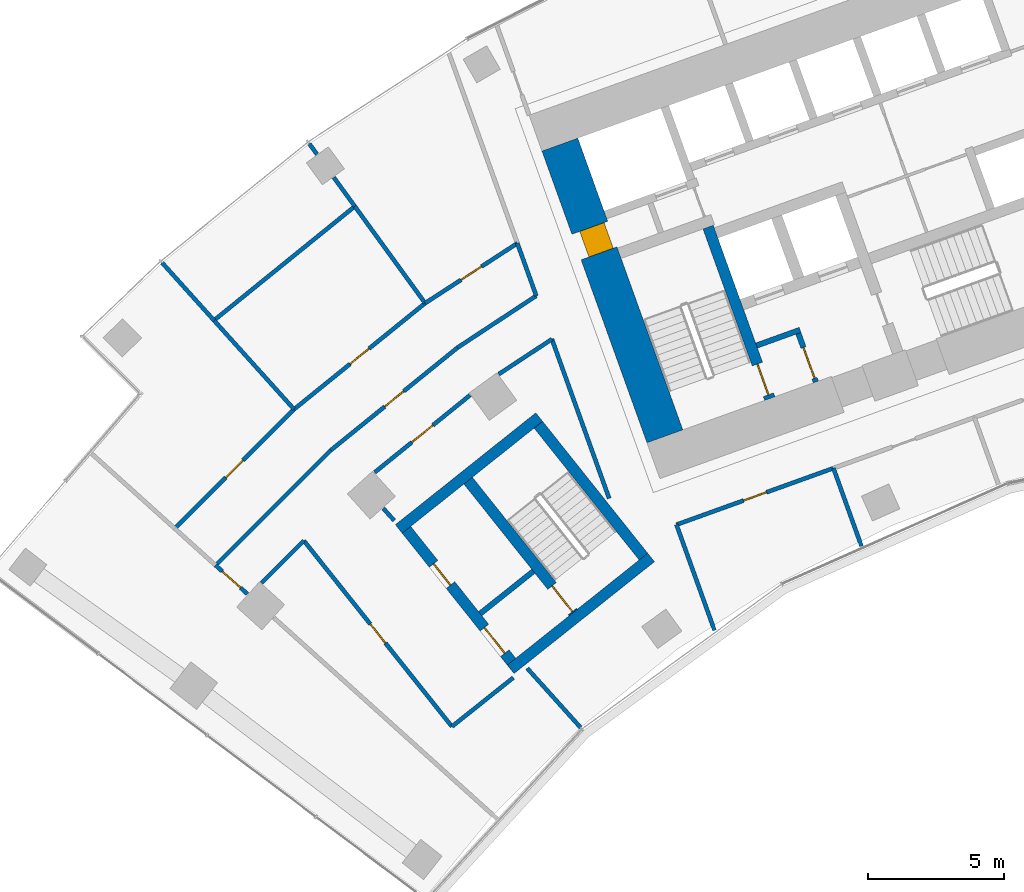
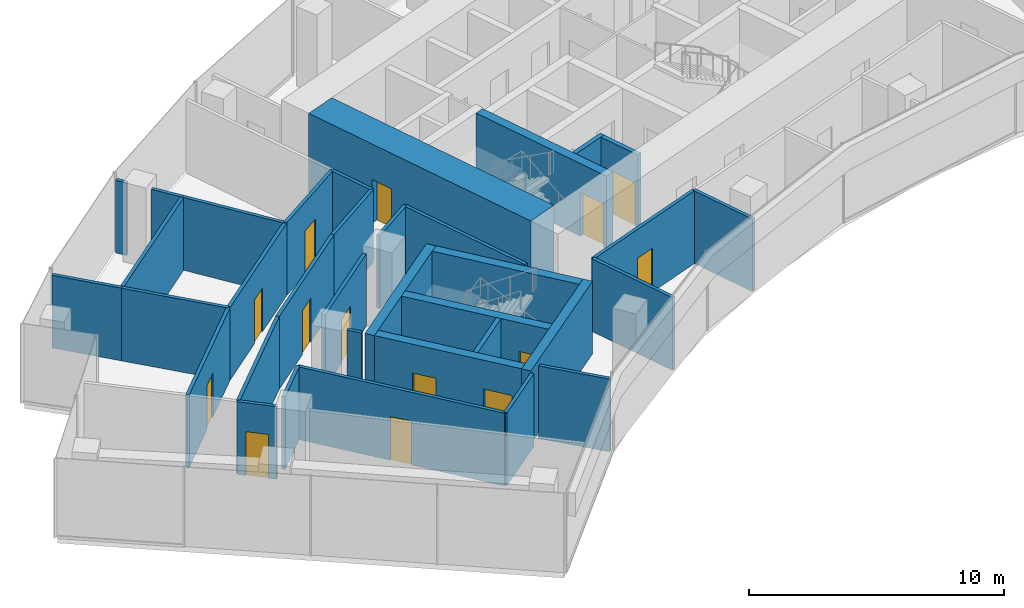
# One storey, part 13 of 21: 35 walls, 14 doors, 14 openings.
"""IFC4 building model written with IfcOpenShell, lengths in metres."""

from ifc_helpers import new_model, si_unit, direction, frame, frame_2d, origin, place, context, subcontext, project, spatial, rectangle, extrude, material, layer, layer_set, type_object, element, fill, save


model = new_model("IFC4")

# Units and contexts
model_context = context("Model", 3, precision=1e-05, world=origin(), true_north=direction((0.0, 1.0)))
body_context = subcontext(model_context, "Body", "Model", "MODEL_VIEW")
ifc_project = project(units=[si_unit("LENGTHUNIT", "METRE"), si_unit("AREAUNIT", "SQUARE_METRE"), si_unit("VOLUMEUNIT", "CUBIC_METRE"), si_unit("PLANEANGLEUNIT", "RADIAN"), si_unit("MASSUNIT", "GRAM", prefix="KILO")], contexts=[model_context])

# Site, building, storey
site_placement = place(None, origin())
site = spatial("IfcSite", under=ifc_project, at=site_placement, CompositionType="ELEMENT")
building_placement = place(site_placement, origin())
building = spatial("IfcBuilding", under=site, at=building_placement, Name="Stone Belt Terrace Tower", CompositionType="ELEMENT")
storey_placement = place(building_placement, frame((0.0, 0.0, 151.60009765625)))
storey = spatial("IfcBuildingStorey", under=building, at=storey_placement, Name="L36", CompositionType="ELEMENT", Elevation=151.60009765625)

# Wall, opening, door
ifc_material_1 = material(Name="Concrete B80", Category="concrete")
ifc_layer_1 = layer(ifc_material_1, 1.39990234375)
ifc_layer_set_1 = layer_set([ifc_layer_1], Name="Core wall 1400 B80")
wall_type_1 = type_object("IfcWallType", Name="Core wall 1400 B80", PredefinedType="SHEAR", material=ifc_layer_set_1)
wall_1_placement = place(storey_placement, frame((-26.00927734375, 43.03515625, 0.0), z_axis=(0.0, 0.0, 1.0), x_axis=(-0.338625431531, 0.940921259788, 0.0)))
wall_1 = element("IfcWall", 1, at=wall_1_placement, inside=storey, type_object=wall_type_1, Name="Core A wall end_a L36", PredefinedType="SHEAR", context=body_context, shape_type="SweptSolid", body=[
    extrude(rectangle(XDim=11.400146484375, YDim=1.39990234375, at=frame_2d((5.7001953125, 0.0))), origin(), (0.0, 0.0, 1.0), 3.7998046875),
])
opening_1_placement = place(wall_1_placement, frame((7.14990234375, 0.0, 0.0)))
opening_1 = element("IfcOpeningElement", 2, at=opening_1_placement, cuts=wall_1, Name="Opening L36-C04", PredefinedType="OPENING", context=body_context, shape_type="SweptSolid", body=[
    extrude(rectangle(XDim=1.0, YDim=2.10009765625, at=frame_2d((0.5, 1.050048828125))), frame((0.0, 0.7099609375, 0.0), z_axis=(0.0, -1.0, 0.0), x_axis=(1.0, 0.0, 0.0)), (0.0, 0.0, 1.0), 1.419921875),
])
ifc_material_2 = material(Name="Timber door leaf", Category="wood")
door_type_1 = type_object("IfcDoorType", Name="Core room door 1000", OperationType="SINGLE_SWING_LEFT", PredefinedType="DOOR", material=ifc_material_2)
door_1_placement = place(opening_1_placement, origin())
door_1 = element("IfcDoor", 3, at=door_1_placement, inside=storey, type_object=door_type_1, Name="Door to Telecommunications riser room core A", OperationType="SINGLE_SWING_LEFT", OverallHeight=2.10009765625, OverallWidth=1.0, PredefinedType="DOOR", context=body_context, shape_type="SweptSolid", body=[
    extrude(rectangle(XDim=1.0, YDim=2.10009765625, at=frame_2d((0.5, 1.050048828125))), frame((0.0, 0.39501953125, 0.0), z_axis=(0.0, -1.0, 0.0), x_axis=(1.0, 0.0, 0.0)), (0.0, 0.0, 1.0), 0.949951171875),
])
fill(opening_1, door_1)

# Walls
ifc_material_3 = material(Name="Gypsum board partition")
ifc_layer_2 = layer(ifc_material_3, 0.14990234375)
ifc_layer_set_2 = layer_set([ifc_layer_2], Name="PARTITION 150 EI 60")
wall_type_2 = type_object("IfcWallType", Name="PARTITION 150 EI 60", PredefinedType="PARTITIONING", material=ifc_layer_set_2)
wall_2_placement = place(storey_placement, frame((-25.5859375, 39.79296875, 0.0), z_axis=(0.0, 0.0, 1.0), x_axis=(0.338545933013, -0.940949866486, 0.0)))
element("IfcWall", 4, at=wall_2_placement, inside=storey, type_object=wall_type_2, Name="L36/wall/i001", PredefinedType="PARTITIONING", context=body_context, shape_type="SweptSolid", body=[
    extrude(rectangle(XDim=4.135009765625, YDim=0.14990234375, at=frame_2d((2.0673828125, 0.0))), origin(), (0.0, 0.0, 1.0), 3.47998046875),
])
wall_3_placement = place(storey_placement, frame((-28.05810546875, 40.75390625, 0.0), z_axis=(0.0, 0.0, 1.0), x_axis=(-0.338523697563, 0.94095786632, 0.0)))
element("IfcWall", 5, at=wall_3_placement, inside=storey, type_object=wall_type_2, Name="L36/wall/i003", PredefinedType="PARTITIONING", context=body_context, shape_type="SweptSolid", body=[
    extrude(rectangle(XDim=6.226806640625, YDim=0.14990234375, at=frame_2d((3.11328125, 0.0))), origin(), (0.0, 0.0, 1.0), 3.47998046875),
])
wall_4_placement = place(storey_placement, frame((-29.107177734375, 32.32666015625, 0.0), z_axis=(0.0, 0.0, 1.0), x_axis=(-0.669245075227, 0.74304174128, 0.0)))
element("IfcWall", 6, at=wall_4_placement, inside=storey, type_object=wall_type_2, Name="L36/wall/i004", PredefinedType="PARTITIONING", context=body_context, shape_type="SweptSolid", body=[
    extrude(rectangle(XDim=2.9345703125, YDim=0.14990234375, at=frame_2d((1.46728515625, 0.0))), origin(), (0.0, 0.0, 1.0), 3.47998046875),
])
wall_5_placement = place(storey_placement, frame((-30.737060546875, 48.197021484375, 0.0), z_axis=(0.0, 0.0, 1.0), x_axis=(-0.338522672426, 0.940958235127, 0.0)))
element("IfcWall", 7, at=wall_5_placement, inside=storey, type_object=wall_type_2, Name="L36/wall/i005", PredefinedType="PARTITIONING", context=body_context, shape_type="SweptSolid", body=[
    extrude(rectangle(XDim=2.064697265625, YDim=0.14990234375, at=frame_2d((1.0322265625, 0.0))), origin(), (0.0, 0.0, 1.0), 3.47998046875),
])

# Wall, opening, door
wall_6_placement = place(storey_placement, frame((-19.806884765625, 41.865966796875, 0.0), z_axis=(0.0, 0.0, 1.0), x_axis=(-0.940934038276, -0.338589922492, 0.0)))
wall_6 = element("IfcWall", 8, at=wall_6_placement, inside=storey, type_object=wall_type_2, Name="L36/wall/i012", PredefinedType="PARTITIONING", context=body_context, shape_type="SweptSolid", body=[
    extrude(rectangle(XDim=6.1396484375, YDim=0.14990234375, at=frame_2d((3.06982421875, 0.0))), origin(), (0.0, 0.0, 1.0), 3.47998046875),
])
opening_2_placement = place(wall_6_placement, frame((2.619873046875, 0.0, 0.0)))
opening_2 = element("IfcOpeningElement", 9, at=opening_2_placement, cuts=wall_6, Name="Opening D-C1-01", PredefinedType="OPENING", context=body_context, shape_type="SweptSolid", body=[
    extrude(rectangle(XDim=0.89990234375, YDim=2.10009765625, at=frame_2d((0.449951171875, 1.050048828125))), frame((0.0, 0.0849609375, 0.0), z_axis=(0.0, -1.0, 0.0), x_axis=(1.0, 0.0, 0.0)), (0.0, 0.0, 1.0), 0.169921875),
])
door_type_2 = type_object("IfcDoorType", Name="OFFICE DOOR 900 X 2100", OperationType="NOTDEFINED", PredefinedType="DOOR", material=ifc_material_2)
door_2_placement = place(opening_2_placement, origin())
door_2 = element("IfcDoor", 10, at=door_2_placement, inside=storey, type_object=door_type_2, Name="L36/door/i01", OperationType="SINGLE_SWING_RIGHT", OverallHeight=2.10009765625, OverallWidth=0.89990234375, PredefinedType="DOOR", context=body_context, shape_type="SweptSolid", body=[
    extrude(rectangle(XDim=0.89990234375, YDim=2.10009765625, at=frame_2d((0.449951171875, 1.050048828125))), frame((0.0, 0.02490234375, 0.0), z_axis=(0.0, -1.0, 0.0), x_axis=(1.0, 0.0, 0.0)), (0.0, 0.0, 1.0), 0.050048828125),
])
fill(opening_2, door_2)

# Wall
wall_7_placement = place(storey_placement, frame((-19.81298828125, 41.864013671875, 0.0), z_axis=(0.0, 0.0, 1.0), x_axis=(0.33852104262, -0.940958821471, 0.0)))
element("IfcWall", 11, at=wall_7_placement, inside=storey, type_object=wall_type_2, Name="L36/wall/i016", PredefinedType="PARTITIONING", context=body_context, shape_type="SweptSolid", body=[
    extrude(rectangle(XDim=3.050048828125, YDim=0.14990234375, at=frame_2d((1.52490234375, 0.0))), origin(), (0.0, 0.0, 1.0), 3.47998046875),
])

# Wall, opening, door
wall_8_placement = place(storey_placement, frame((-41.35986328125, 37.240478515625, 0.0), z_axis=(0.0, 0.0, 1.0), x_axis=(-0.742885543222, 0.669418456327, 0.0)))
wall_8 = element("IfcWall", 12, at=wall_8_placement, inside=storey, type_object=wall_type_2, Name="L36/wall/i040", PredefinedType="PARTITIONING", context=body_context, shape_type="SweptSolid", body=[
    extrude(rectangle(XDim=1.5751953125, YDim=0.14990234375, at=frame_2d((0.78759765625, 0.0))), origin(), (0.0, 0.0, 1.0), 3.47998046875),
])
opening_3_placement = place(wall_8_placement, frame((0.337646484375, 0.0, 0.0)))
opening_3 = element("IfcOpeningElement", 13, at=opening_3_placement, cuts=wall_8, Name="Opening D-C1-13", PredefinedType="OPENING", context=body_context, shape_type="SweptSolid", body=[
    extrude(rectangle(XDim=0.89990234375, YDim=2.10009765625, at=frame_2d((0.449951171875, 1.050048828125))), frame((0.0, 0.0849609375, 0.0), z_axis=(0.0, -1.0, 0.0), x_axis=(1.0, 0.0, 0.0)), (0.0, 0.0, 1.0), 0.169921875),
])
door_3_placement = place(opening_3_placement, origin())
door_3 = element("IfcDoor", 14, at=door_3_placement, inside=storey, type_object=door_type_2, Name="L36/door/i13", OperationType="SINGLE_SWING_RIGHT", OverallHeight=2.10009765625, OverallWidth=0.89990234375, PredefinedType="DOOR", context=body_context, shape_type="SweptSolid", body=[
    extrude(rectangle(XDim=0.89990234375, YDim=2.10009765625, at=frame_2d((0.449951171875, 1.050048828125))), frame((0.0, 0.02490234375, 0.0), z_axis=(0.0, -1.0, 0.0), x_axis=(1.0, 0.0, 0.0)), (0.0, 0.0, 1.0), 0.050048828125),
])
fill(opening_3, door_3)

# Wall
wall_9_placement = place(storey_placement, frame((-30.1640625, 46.60693359375, 0.0), z_axis=(0.0, 0.0, 1.0), x_axis=(-0.835406992815, -0.549631837102, 0.0)))
element("IfcWall", 15, at=wall_9_placement, inside=storey, type_object=wall_type_2, Name="L36/wall/i044", PredefinedType="PARTITIONING", context=body_context, shape_type="SweptSolid", body=[
    extrude(rectangle(XDim=2.339111328125, YDim=0.14990234375, at=frame_2d((1.16943359375, 0.0))), origin(), (0.0, 0.0, 1.0), 3.47998046875),
])

# Wall, opening, door
wall_10_placement = place(storey_placement, frame((-33.17578125, 44.548095703125, 0.0), z_axis=(0.0, 0.0, 1.0), x_axis=(-0.777148951547, -0.629316698578, 0.0)))
wall_10 = element("IfcWall", 16, at=wall_10_placement, inside=storey, type_object=wall_type_2, Name="L36/wall/i045", PredefinedType="PARTITIONING", context=body_context, shape_type="SweptSolid", body=[
    extrude(rectangle(XDim=4.505126953125, YDim=0.14990234375, at=frame_2d((2.25244140625, 0.0))), origin(), (0.0, 0.0, 1.0), 3.47998046875),
])
opening_4_placement = place(wall_10_placement, frame((1.752685546875, 0.0, 0.0)))
opening_4 = element("IfcOpeningElement", 17, at=opening_4_placement, cuts=wall_10, Name="Opening D-C1-14", PredefinedType="OPENING", context=body_context, shape_type="SweptSolid", body=[
    extrude(rectangle(XDim=1.0, YDim=2.10009765625, at=frame_2d((0.5, 1.050048828125))), frame((0.0, 0.0849609375, 0.0), z_axis=(0.0, -1.0, 0.0), x_axis=(1.0, 0.0, 0.0)), (0.0, 0.0, 1.0), 0.169921875),
])
ifc_material_4 = material(Name="Timber fire door leaf", Category="wood")
door_type_3 = type_object("IfcDoorType", Name="TENANCY ENTRANCE DOOR 1000 X 2100", OperationType="NOTDEFINED", PredefinedType="DOOR", material=ifc_material_4)
door_4_placement = place(opening_4_placement, origin())
door_4 = element("IfcDoor", 18, at=door_4_placement, inside=storey, type_object=door_type_3, Name="L36/door/i14", OperationType="SINGLE_SWING_RIGHT", OverallHeight=2.10009765625, OverallWidth=1.0, PredefinedType="DOOR", context=body_context, shape_type="SweptSolid", body=[
    extrude(rectangle(XDim=1.0, YDim=2.10009765625, at=frame_2d((0.5, 1.050048828125))), frame((0.0, 0.02490234375, 0.0), z_axis=(0.0, -1.0, 0.0), x_axis=(1.0, 0.0, 0.0)), (0.0, 0.0, 1.0), 0.050048828125),
])
fill(opening_4, door_4)

# Walls
wall_11_placement = place(storey_placement, frame((-39.281982421875, 39.205078125, 0.0), z_axis=(0.0, 0.0, 1.0), x_axis=(-0.707106781187, -0.707106781187, 0.0)))
element("IfcWall", 19, at=wall_11_placement, inside=storey, type_object=wall_type_2, Name="L36/wall/i046", PredefinedType="PARTITIONING", context=body_context, shape_type="SweptSolid", body=[
    extrude(rectangle(XDim=2.1982421875, YDim=0.14990234375, at=frame_2d((1.09912109375, 0.0))), origin(), (0.0, 0.0, 1.0), 3.47998046875),
])
wall_12_placement = place(storey_placement, frame((-42.52587890625, 38.291015625, 0.0), z_axis=(0.0, 0.0, 1.0), x_axis=(0.707106781187, 0.707106781187, 0.0)))
element("IfcWall", 20, at=wall_12_placement, inside=storey, type_object=wall_type_2, Name="L36/wall/i047", PredefinedType="PARTITIONING", context=body_context, shape_type="SweptSolid", body=[
    extrude(rectangle(XDim=5.989013671875, YDim=0.14990234375, at=frame_2d((2.99462890625, 0.0))), origin(), (0.0, 0.0, 1.0), 3.47998046875),
])

# Wall, opening, door
wall_13_placement = place(storey_placement, frame((-38.291015625, 42.52587890625, 0.0), z_axis=(0.0, 0.0, 1.0), x_axis=(0.777109127033, 0.629365875054, 0.0)))
wall_13 = element("IfcWall", 21, at=wall_13_placement, inside=storey, type_object=wall_type_2, Name="L36/wall/i048", PredefinedType="PARTITIONING", context=body_context, shape_type="SweptSolid", body=[
    extrude(rectangle(XDim=5.990234375, YDim=0.14990234375, at=frame_2d((2.9951171875, 0.0))), origin(), (0.0, 0.0, 1.0), 3.47998046875),
])
opening_5_placement = place(wall_13_placement, frame((2.545166015625, 0.0, 0.0)))
opening_5 = element("IfcOpeningElement", 22, at=opening_5_placement, cuts=wall_13, Name="Opening D-C1-16", PredefinedType="OPENING", context=body_context, shape_type="SweptSolid", body=[
    extrude(rectangle(XDim=0.89990234375, YDim=2.10009765625, at=frame_2d((0.449951171875, 1.050048828125))), frame((0.0, 0.0849609375, 0.0), z_axis=(0.0, -1.0, 0.0), x_axis=(1.0, 0.0, 0.0)), (0.0, 0.0, 1.0), 0.169921875),
])
door_5_placement = place(opening_5_placement, origin())
door_5 = element("IfcDoor", 23, at=door_5_placement, inside=storey, type_object=door_type_2, Name="L36/door/i16", OperationType="SINGLE_SWING_RIGHT", OverallHeight=2.10009765625, OverallWidth=0.89990234375, PredefinedType="DOOR", context=body_context, shape_type="SweptSolid", body=[
    extrude(rectangle(XDim=0.89990234375, YDim=2.10009765625, at=frame_2d((0.449951171875, 1.050048828125))), frame((0.0, 0.02490234375, 0.0), z_axis=(0.0, -1.0, 0.0), x_axis=(1.0, 0.0, 0.0)), (0.0, 0.0, 1.0), 0.050048828125),
])
fill(opening_5, door_5)

# Walls
wall_14_placement = place(storey_placement, frame((-33.635986328125, 46.2958984375, 0.0), z_axis=(0.0, 0.0, 1.0), x_axis=(0.835274160171, 0.549833681535, 0.0)))
element("IfcWall", 24, at=wall_14_placement, inside=storey, type_object=wall_type_2, Name="L36/wall/i049", PredefinedType="PARTITIONING", context=body_context, shape_type="SweptSolid", body=[
    extrude(rectangle(XDim=3.46826171875, YDim=0.14990234375, at=frame_2d((1.734130859375, 0.0))), origin(), (0.0, 0.0, 1.0), 3.47998046875),
])
wall_15_placement = place(storey_placement, frame((-36.364013671875, 40.38623046875, 0.0), z_axis=(0.0, 0.0, 1.0), x_axis=(0.668964731622, -0.743294146247, 0.0)))
element("IfcWall", 25, at=wall_15_placement, inside=storey, type_object=wall_type_2, Name="L36/wall/i050", PredefinedType="PARTITIONING", context=body_context, shape_type="SweptSolid", body=[
    extrude(rectangle(XDim=0.597900390625, YDim=0.14990234375, at=frame_2d((0.298828125, 0.0))), origin(), (0.0, 0.0, 1.0), 3.47998046875),
])
wall_16_placement = place(storey_placement, frame((-31.58203125, 34.1640625, 0.0), z_axis=(0.0, 0.0, 1.0), x_axis=(-0.78211299795, -0.623136629029, 0.0)))
element("IfcWall", 26, at=wall_16_placement, inside=storey, type_object=wall_type_2, Name="L36/wall/i051", PredefinedType="PARTITIONING", context=body_context, shape_type="SweptSolid", body=[
    extrude(rectangle(XDim=2.88720703125, YDim=0.14990234375, at=frame_2d((1.443603515625, 0.0))), origin(), (0.0, 0.0, 1.0), 3.47998046875),
])

# Wall, opening, door
wall_17_placement = place(storey_placement, frame((-33.841064453125, 32.365966796875, 0.0), z_axis=(0.0, 0.0, 1.0), x_axis=(-0.623078744687, 0.782159112917, 0.0)))
wall_17 = element("IfcWall", 27, at=wall_17_placement, inside=storey, type_object=wall_type_2, Name="L36/wall/i052", PredefinedType="PARTITIONING", context=body_context, shape_type="SweptSolid", body=[
    extrude(rectangle(XDim=8.738525390625, YDim=0.14990234375, at=frame_2d((4.369140625, 0.0))), origin(), (0.0, 0.0, 1.0), 3.47998046875),
])
opening_6_placement = place(wall_17_placement, frame((3.91943359375, 0.0, 0.0)))
opening_6 = element("IfcOpeningElement", 28, at=opening_6_placement, cuts=wall_17, Name="Opening D-C1-15", PredefinedType="OPENING", context=body_context, shape_type="SweptSolid", body=[
    extrude(rectangle(XDim=0.89990234375, YDim=2.10009765625, at=frame_2d((0.449951171875, 1.050048828125))), frame((0.0, 0.0849609375, 0.0), z_axis=(0.0, -1.0, 0.0), x_axis=(1.0, 0.0, 0.0)), (0.0, 0.0, 1.0), 0.169921875),
])
door_6_placement = place(opening_6_placement, origin())
door_6 = element("IfcDoor", 29, at=door_6_placement, inside=storey, type_object=door_type_2, Name="L36/door/i15", OperationType="SINGLE_SWING_RIGHT", OverallHeight=2.10009765625, OverallWidth=0.89990234375, PredefinedType="DOOR", context=body_context, shape_type="SweptSolid", body=[
    extrude(rectangle(XDim=0.89990234375, YDim=2.10009765625, at=frame_2d((0.449951171875, 1.050048828125))), frame((0.0, 0.02490234375, 0.0), z_axis=(0.0, -1.0, 0.0), x_axis=(1.0, 0.0, 0.0)), (0.0, 0.0, 1.0), 0.050048828125),
])
fill(opening_6, door_6)

wall_18_placement = place(storey_placement, frame((-44.029052734375, 39.64501953125, 0.0), z_axis=(0.0, 0.0, 1.0), x_axis=(0.707106781187, 0.707106781187, 0.0)))
wall_18 = element("IfcWall", 30, at=wall_18_placement, inside=storey, type_object=wall_type_2, Name="L36/wall/i053", PredefinedType="PARTITIONING", context=body_context, shape_type="SweptSolid", body=[
    extrude(rectangle(XDim=6.201416015625, YDim=0.14990234375, at=frame_2d((3.1005859375, 0.0))), origin(), (0.0, 0.0, 1.0), 3.47998046875),
])
opening_7_placement = place(wall_18_placement, frame((2.650634765625, 0.0, 0.0)))
opening_7 = element("IfcOpeningElement", 31, at=opening_7_placement, cuts=wall_18, Name="Opening D-C1-17", PredefinedType="OPENING", context=body_context, shape_type="SweptSolid", body=[
    extrude(rectangle(XDim=0.89990234375, YDim=2.10009765625, at=frame_2d((0.449951171875, 1.050048828125))), frame((0.0, 0.0849609375, 0.0), z_axis=(0.0, -1.0, 0.0), x_axis=(1.0, 0.0, 0.0)), (0.0, 0.0, 1.0), 0.169921875),
])
door_7_placement = place(opening_7_placement, origin())
door_7 = element("IfcDoor", 32, at=door_7_placement, inside=storey, type_object=door_type_2, Name="L36/door/i17", OperationType="SINGLE_SWING_RIGHT", OverallHeight=2.10009765625, OverallWidth=0.89990234375, PredefinedType="DOOR", context=body_context, shape_type="SweptSolid", body=[
    extrude(rectangle(XDim=0.89990234375, YDim=2.10009765625, at=frame_2d((0.449951171875, 1.050048828125))), frame((0.0, 0.02490234375, 0.0), z_axis=(0.0, -1.0, 0.0), x_axis=(1.0, 0.0, 0.0)), (0.0, 0.0, 1.0), 0.050048828125),
])
fill(opening_7, door_7)

wall_19_placement = place(storey_placement, frame((-39.64404296875, 44.030029296875, 0.0), z_axis=(0.0, 0.0, 1.0), x_axis=(0.777190769916, 0.629265053184, 0.0)))
wall_19 = element("IfcWall", 33, at=wall_19_placement, inside=storey, type_object=wall_type_2, Name="L36/wall/i054", PredefinedType="PARTITIONING", context=body_context, shape_type="SweptSolid", body=[
    extrude(rectangle(XDim=6.20068359375, YDim=0.14990234375, at=frame_2d((3.100341796875, 0.0))), origin(), (0.0, 0.0, 1.0), 3.47998046875),
])
opening_8_placement = place(wall_19_placement, frame((2.650390625, 0.0, 0.0)))
opening_8 = element("IfcOpeningElement", 34, at=opening_8_placement, cuts=wall_19, Name="Opening D-C1-18", PredefinedType="OPENING", context=body_context, shape_type="SweptSolid", body=[
    extrude(rectangle(XDim=0.89990234375, YDim=2.10009765625, at=frame_2d((0.449951171875, 1.050048828125))), frame((0.0, 0.0849609375, 0.0), z_axis=(0.0, -1.0, 0.0), x_axis=(1.0, 0.0, 0.0)), (0.0, 0.0, 1.0), 0.169921875),
])
door_8_placement = place(opening_8_placement, origin())
door_8 = element("IfcDoor", 35, at=door_8_placement, inside=storey, type_object=door_type_2, Name="L36/door/i18", OperationType="SINGLE_SWING_RIGHT", OverallHeight=2.10009765625, OverallWidth=0.89990234375, PredefinedType="DOOR", context=body_context, shape_type="SweptSolid", body=[
    extrude(rectangle(XDim=0.89990234375, YDim=2.10009765625, at=frame_2d((0.449951171875, 1.050048828125))), frame((0.0, 0.02490234375, 0.0), z_axis=(0.0, -1.0, 0.0), x_axis=(1.0, 0.0, 0.0)), (0.0, 0.0, 1.0), 0.050048828125),
])
fill(opening_8, door_8)

wall_20_placement = place(storey_placement, frame((-34.824951171875, 47.931884765625, 0.0), z_axis=(0.0, 0.0, 1.0), x_axis=(0.838660143757, 0.544655086521, 0.0)))
wall_20 = element("IfcWall", 36, at=wall_20_placement, inside=storey, type_object=wall_type_2, Name="L36/wall/i055", PredefinedType="PARTITIONING", context=body_context, shape_type="SweptSolid", body=[
    extrude(rectangle(XDim=4.043212890625, YDim=0.14990234375, at=frame_2d((2.021484375, 0.0))), origin(), (0.0, 0.0, 1.0), 3.47998046875),
])
opening_9_placement = place(wall_20_placement, frame((1.571533203125, 0.0, 0.0)))
opening_9 = element("IfcOpeningElement", 37, at=opening_9_placement, cuts=wall_20, Name="Opening D-C1-19", PredefinedType="OPENING", context=body_context, shape_type="SweptSolid", body=[
    extrude(rectangle(XDim=0.89990234375, YDim=2.10009765625, at=frame_2d((0.449951171875, 1.050048828125))), frame((0.0, 0.0849609375, 0.0), z_axis=(0.0, -1.0, 0.0), x_axis=(1.0, 0.0, 0.0)), (0.0, 0.0, 1.0), 0.169921875),
])
door_9_placement = place(opening_9_placement, origin())
door_9 = element("IfcDoor", 38, at=door_9_placement, inside=storey, type_object=door_type_2, Name="L36/door/i19", OperationType="SINGLE_SWING_RIGHT", OverallHeight=2.10009765625, OverallWidth=0.89990234375, PredefinedType="DOOR", context=body_context, shape_type="SweptSolid", body=[
    extrude(rectangle(XDim=0.89990234375, YDim=2.10009765625, at=frame_2d((0.449951171875, 1.050048828125))), frame((0.0, 0.02490234375, 0.0), z_axis=(0.0, -1.0, 0.0), x_axis=(1.0, 0.0, 0.0)), (0.0, 0.0, 1.0), 0.050048828125),
])
fill(opening_9, door_9)

# Walls
wall_21_placement = place(storey_placement, frame((-42.592041015625, 47.302978515625, 0.0), z_axis=(0.0, 0.0, 1.0), x_axis=(0.669258646934, -0.74302951725, 0.0)))
element("IfcWall", 39, at=wall_21_placement, inside=storey, type_object=wall_type_2, Name="L36/wall/i056", PredefinedType="PARTITIONING", context=body_context, shape_type="SweptSolid", body=[
    extrude(rectangle(XDim=4.40478515625, YDim=0.14990234375, at=frame_2d((2.202392578125, 0.0))), origin(), (0.0, 0.0, 1.0), 3.47998046875),
])
wall_22_placement = place(storey_placement, frame((-44.496826171875, 49.41943359375, 0.0), z_axis=(0.0, 0.0, 1.0), x_axis=(0.66894586308, -0.743311127502, 0.0)))
element("IfcWall", 40, at=wall_22_placement, inside=storey, type_object=wall_type_2, Name="L36/wall/i057", PredefinedType="PARTITIONING", context=body_context, shape_type="SweptSolid", body=[
    extrude(rectangle(XDim=2.859375, YDim=0.14990234375, at=frame_2d((1.4296875, 0.0))), origin(), (0.0, 0.0, 1.0), 3.47998046875),
])
wall_23_placement = place(storey_placement, frame((-42.587890625, 47.299072265625, 0.0), z_axis=(0.0, 0.0, 1.0), x_axis=(0.777100621569, 0.629376377025, 0.0)))
element("IfcWall", 41, at=wall_23_placement, inside=storey, type_object=wall_type_2, Name="L36/wall/i058", PredefinedType="PARTITIONING", context=body_context, shape_type="SweptSolid", body=[
    extrude(rectangle(XDim=6.661865234375, YDim=0.14990234375, at=frame_2d((3.3310546875, 0.0))), origin(), (0.0, 0.0, 1.0), 3.47998046875),
])
wall_24_placement = place(storey_placement, frame((-37.410888671875, 51.491943359375, 0.0), z_axis=(0.0, 0.0, 1.0), x_axis=(0.587696525109, -0.809081451014, 0.0)))
element("IfcWall", 42, at=wall_24_placement, inside=storey, type_object=wall_type_2, Name="L36/wall/i059", PredefinedType="PARTITIONING", context=body_context, shape_type="SweptSolid", body=[
    extrude(rectangle(XDim=4.400146484375, YDim=0.14990234375, at=frame_2d((2.2001953125, 0.0))), origin(), (0.0, 0.0, 1.0), 3.47998046875),
])
wall_25_placement = place(storey_placement, frame((-39.087890625, 53.7998046875, 0.0), z_axis=(0.0, 0.0, 1.0), x_axis=(0.587839914735, -0.808977276964, 0.0)))
element("IfcWall", 43, at=wall_25_placement, inside=storey, type_object=wall_type_2, Name="L36/wall/i060", PredefinedType="PARTITIONING", context=body_context, shape_type="SweptSolid", body=[
    extrude(rectangle(XDim=0.4814453125, YDim=0.14990234375, at=frame_2d((0.24072265625, 0.0))), origin(), (0.0, 0.0, 1.0), 3.47998046875),
])
wall_26_placement = place(storey_placement, frame((-38.181884765625, 52.552978515625, 0.0), z_axis=(0.0, 0.0, 1.0), x_axis=(0.587839609229, -0.808977498958, 0.0)))
element("IfcWall", 44, at=wall_26_placement, inside=storey, type_object=wall_type_2, Name="L36/wall/i061", PredefinedType="PARTITIONING", context=body_context, shape_type="SweptSolid", body=[
    extrude(rectangle(XDim=1.3115234375, YDim=0.14990234375, at=frame_2d((0.65576171875, 0.0))), origin(), (0.0, 0.0, 1.0), 3.47998046875),
])
ifc_material_5 = material(Name="Concrete masonry block", Category="masonry")
ifc_layer_3 = layer(ifc_material_5, 0.199951171875)
ifc_layer_set_3 = layer_set([ifc_layer_3], Name="Rated lobby wall 200")
wall_type_3 = type_object("IfcWallType", Name="Rated lobby wall 200", PredefinedType="PARTITIONING", material=ifc_layer_set_3)
wall_27_placement = place(storey_placement, frame((-22.640625, 46.373046875, 0.0), z_axis=(0.0, 0.0, 1.0), x_axis=(0.940966110313, 0.338500781747, 0.0)))
element("IfcWall", 45, at=wall_27_placement, inside=storey, type_object=wall_type_3, Name="Core A wall", PredefinedType="PARTITIONING", context=body_context, shape_type="SweptSolid", body=[
    extrude(rectangle(XDim=1.699951171875, YDim=0.199951171875, at=frame_2d((0.85009765625, 0.0))), origin(), (0.0, 0.0, 1.0), 3.47998046875),
])

# Wall, opening, door
wall_28_placement = place(storey_placement, frame((-20.4580078125, 45.032958984375, 0.0), z_axis=(0.0, 0.0, 1.0), x_axis=(-0.338573865316, 0.940939816208, 0.0)))
wall_28 = element("IfcWall", 46, at=wall_28_placement, inside=storey, type_object=wall_type_3, Name="Core A wall", PredefinedType="PARTITIONING", context=body_context, shape_type="SweptSolid", body=[
    extrude(rectangle(XDim=1.900146484375, YDim=0.199951171875, at=frame_2d((0.9501953125, 0.0))), origin(), (0.0, 0.0, 1.0), 3.47998046875),
])
opening_10_placement = place(wall_28_placement, frame((0.14990234375, 0.0, 0.0)))
opening_10 = element("IfcOpeningElement", 47, at=opening_10_placement, cuts=wall_28, Name="Opening L36-C09", PredefinedType="OPENING", context=body_context, shape_type="SweptSolid", body=[
    extrude(rectangle(XDim=1.199951171875, YDim=2.10009765625, at=frame_2d((0.60009765625, 1.050048828125))), frame((0.0, 0.10986328125, 0.0), z_axis=(0.0, -1.0, 0.0), x_axis=(1.0, 0.0, 0.0)), (0.0, 0.0, 1.0), 0.219970703125),
])
ifc_material_6 = material(Name="Steel door leaf", Category="steel")
door_type_4 = type_object("IfcDoorType", Name="Stair door 1200", OperationType="SINGLE_SWING_LEFT", PredefinedType="DOOR", material=ifc_material_6)
door_10_placement = place(opening_10_placement, origin())
door_10 = element("IfcDoor", 48, at=door_10_placement, inside=storey, type_object=door_type_4, Name="Stair airlock door core A", OperationType="SINGLE_SWING_RIGHT", OverallHeight=2.10009765625, OverallWidth=1.199951171875, PredefinedType="DOOR", context=body_context, shape_type="SweptSolid", body=[
    extrude(rectangle(XDim=1.199951171875, YDim=2.10009765625, at=frame_2d((0.60009765625, 1.050048828125))), frame((0.0, 0.02490234375, 0.0), z_axis=(0.0, -1.0, 0.0), x_axis=(1.0, 0.0, 0.0)), (0.0, 0.0, 1.0), 0.050048828125),
])
fill(opening_10, door_10)

# Wall
wall_29_placement = place(storey_placement, frame((-30.845703125, 38.074951171875, 0.0), z_axis=(0.0, 0.0, 1.0), x_axis=(-0.782115323833, -0.623133709749, 0.0)))
element("IfcWall", 49, at=wall_29_placement, inside=storey, type_object=wall_type_3, Name="Exit stair ST3A wall", PredefinedType="PARTITIONING", context=body_context, shape_type="SweptSolid", body=[
    extrude(rectangle(XDim=2.5, YDim=0.199951171875, at=frame_2d((1.25, 0.0))), origin(), (0.0, 0.0, 1.0), 3.47998046875),
])

# Wall, opening, door
ifc_layer_4 = layer(ifc_material_1, 0.39990234375)
ifc_layer_set_4 = layer_set([ifc_layer_4], Name="Stair enclosure wall 400")
wall_type_4 = type_object("IfcWallType", Name="Stair enclosure wall 400", PredefinedType="SHEAR", material=ifc_layer_set_4)
wall_30_placement = place(storey_placement, frame((-22.151611328125, 44.42333984375, 0.0), z_axis=(0.0, 0.0, 1.0), x_axis=(-0.338625272931, 0.940921316866, 0.0)))
wall_30 = element("IfcWall", 50, at=wall_30_placement, inside=storey, type_object=wall_type_4, Name="Core A wall", PredefinedType="SHEAR", context=body_context, shape_type="SweptSolid", body=[
    extrude(rectangle(XDim=6.699951171875, YDim=0.39990234375, at=frame_2d((3.35009765625, 0.0))), origin(), (0.0, 0.0, 1.0), 3.47998046875),
])
opening_11_placement = place(wall_30_placement, frame((0.14990234375, 0.0, 0.0)))
opening_11 = element("IfcOpeningElement", 51, at=opening_11_placement, cuts=wall_30, Name="Opening L36-C08", PredefinedType="OPENING", context=body_context, shape_type="SweptSolid", body=[
    extrude(rectangle(XDim=1.199951171875, YDim=2.10009765625, at=frame_2d((0.60009765625, 1.050048828125))), frame((0.0, 0.2099609375, 0.0), z_axis=(0.0, -1.0, 0.0), x_axis=(1.0, 0.0, 0.0)), (0.0, 0.0, 1.0), 0.419921875),
])
door_11_placement = place(opening_11_placement, origin())
door_11 = element("IfcDoor", 52, at=door_11_placement, inside=storey, type_object=door_type_4, Name="Stair 1 door core A", OperationType="SINGLE_SWING_RIGHT", OverallHeight=2.10009765625, OverallWidth=1.199951171875, PredefinedType="DOOR", context=body_context, shape_type="SweptSolid", body=[
    extrude(rectangle(XDim=1.199951171875, YDim=2.10009765625, at=frame_2d((0.60009765625, 1.050048828125))), frame((0.0, 0.02490234375, 0.0), z_axis=(0.0, -1.0, 0.0), x_axis=(1.0, 0.0, 0.0)), (0.0, 0.0, 1.0), 0.050048828125),
])
fill(opening_11, door_11)

# Walls
for number, where, z_axis, x_axis, name in (
    (53, (-26.518798828125, 38.58154296875, 0.0), (0.0, 0.0, 1.0), (-0.782133914161, -0.623110375711, 0.0), "Exit stair ST3A wall"),
    (54, (-30.63134765625, 43.74365234375, 0.0), (0.0, 0.0, 1.0), (-0.782133914161, -0.623110375711, 0.0), "Exit stair ST3A wall"),
):
    element("IfcWall", number, at=place(storey_placement, frame(where, z_axis=z_axis, x_axis=x_axis)), inside=storey, type_object=wall_type_4, Name=name, PredefinedType="SHEAR", context=body_context, shape_type="SweptSolid", body=[
        extrude(rectangle(XDim=6.60009765625, YDim=0.39990234375, at=frame_2d((3.300048828125, 0.0))), origin(), (0.0, 0.0, 1.0), 3.47998046875),
    ])
wall_31_placement = place(storey_placement, frame((-26.7998046875, 38.61328125, 0.0), z_axis=(0.0, 0.0, 1.0), x_axis=(-0.623118653668, 0.782127319208, 0.0)))
element("IfcWall", 55, at=wall_31_placement, inside=storey, type_object=wall_type_4, Name="Exit stair ST3A wall", PredefinedType="SHEAR", context=body_context, shape_type="SweptSolid", body=[
    extrude(rectangle(XDim=6.199951171875, YDim=0.39990234375, at=frame_2d((3.10009765625, 0.0))), origin(), (0.0, 0.0, 1.0), 3.47998046875),
])

# Wall, openings, doors
wall_32_placement = place(storey_placement, frame((-31.64892578125, 34.75, 0.0), z_axis=(0.0, 0.0, 1.0), x_axis=(-0.623118653668, 0.782127319208, 0.0)))
wall_32 = element("IfcWall", 56, at=wall_32_placement, inside=storey, type_object=wall_type_4, Name="Exit stair ST3A wall", PredefinedType="SHEAR", context=body_context, shape_type="SweptSolid", body=[
    extrude(rectangle(XDim=6.199951171875, YDim=0.39990234375, at=frame_2d((3.10009765625, 0.0))), origin(), (0.0, 0.0, 1.0), 3.47998046875),
])
opening_12_placement = place(wall_32_placement, frame((0.39990234375, 0.0, 0.0)))
opening_12 = element("IfcOpeningElement", 57, at=opening_12_placement, cuts=wall_32, Name="Opening L36-C30", PredefinedType="OPENING", context=body_context, shape_type="SweptSolid", body=[
    extrude(rectangle(XDim=1.199951171875, YDim=2.10009765625, at=frame_2d((0.60009765625, 1.050048828125))), frame((0.0, 0.2099609375, 0.0), z_axis=(0.0, -1.0, 0.0), x_axis=(1.0, 0.0, 0.0)), (0.0, 0.0, 1.0), 0.419921875),
])
opening_13_placement = place(wall_32_placement, frame((3.60009765625, 0.0, 0.0)))
opening_13 = element("IfcOpeningElement", 58, at=opening_13_placement, cuts=wall_32, Name="Opening L36-C31", PredefinedType="OPENING", context=body_context, shape_type="SweptSolid", body=[
    extrude(rectangle(XDim=1.0, YDim=2.10009765625, at=frame_2d((0.5, 1.050048828125))), frame((0.0, 0.2099609375, 0.0), z_axis=(0.0, -1.0, 0.0), x_axis=(1.0, 0.0, 0.0)), (0.0, 0.0, 1.0), 0.419921875),
])
door_12_placement = place(opening_13_placement, origin())
door_12 = element("IfcDoor", 59, at=door_12_placement, inside=storey, type_object=door_type_1, Name="Door to stair pressurisation plant room ST3A", OperationType="SINGLE_SWING_LEFT", OverallHeight=2.10009765625, OverallWidth=1.0, PredefinedType="DOOR", context=body_context, shape_type="SweptSolid", body=[
    extrude(rectangle(XDim=1.0, YDim=2.10009765625, at=frame_2d((0.5, 1.050048828125))), frame((0.0, 0.02490234375, 0.0), z_axis=(0.0, -1.0, 0.0), x_axis=(1.0, 0.0, 0.0)), (0.0, 0.0, 1.0), 0.050048828125),
])
fill(opening_13, door_12)
door_type_5 = type_object("IfcDoorType", Name="Stair airlock door 1200", OperationType="SINGLE_SWING_LEFT", PredefinedType="DOOR", material=ifc_material_6)
door_13_placement = place(opening_12_placement, origin())
door_13 = element("IfcDoor", 60, at=door_13_placement, inside=storey, type_object=door_type_5, Name="Stair airlock door ST3A", OperationType="SINGLE_SWING_LEFT", OverallHeight=2.10009765625, OverallWidth=1.199951171875, PredefinedType="DOOR", context=body_context, shape_type="SweptSolid", body=[
    extrude(rectangle(XDim=1.199951171875, YDim=2.10009765625, at=frame_2d((0.60009765625, 1.050048828125))), frame((0.0, 0.02490234375, 0.0), z_axis=(0.0, -1.0, 0.0), x_axis=(1.0, 0.0, 0.0)), (0.0, 0.0, 1.0), 0.050048828125),
])
fill(opening_12, door_13)

# Wall, opening, door
wall_33_placement = place(storey_placement, frame((-29.380859375, 36.556884765625, 0.0), z_axis=(0.0, 0.0, 1.0), x_axis=(-0.623099462847, 0.782142608097, 0.0)))
wall_33 = element("IfcWall", 61, at=wall_33_placement, inside=storey, type_object=wall_type_4, Name="Exit stair ST3A wall", PredefinedType="SHEAR", context=body_context, shape_type="SweptSolid", body=[
    extrude(rectangle(XDim=6.2001953125, YDim=0.39990234375, at=frame_2d((3.10009765625, 0.0))), origin(), (0.0, 0.0, 1.0), 3.47998046875),
])
opening_14_placement = place(wall_33_placement, frame((0.050048828125, 0.0, 0.0)))
opening_14 = element("IfcOpeningElement", 62, at=opening_14_placement, cuts=wall_33, Name="Opening L36-C29", PredefinedType="OPENING", context=body_context, shape_type="SweptSolid", body=[
    extrude(rectangle(XDim=1.199951171875, YDim=2.10009765625, at=frame_2d((0.60009765625, 1.050048828125))), frame((0.0, 0.2099609375, 0.0), z_axis=(0.0, -1.0, 0.0), x_axis=(1.0, 0.0, 0.0)), (0.0, 0.0, 1.0), 0.419921875),
])
door_14_placement = place(opening_14_placement, origin())
door_14 = element("IfcDoor", 63, at=door_14_placement, inside=storey, type_object=door_type_4, Name="Stair door ST3A", OperationType="SINGLE_SWING_RIGHT", OverallHeight=2.10009765625, OverallWidth=1.199951171875, PredefinedType="DOOR", context=body_context, shape_type="SweptSolid", body=[
    extrude(rectangle(XDim=1.199951171875, YDim=2.10009765625, at=frame_2d((0.60009765625, 1.050048828125))), frame((0.0, 0.02490234375, 0.0), z_axis=(0.0, -1.0, 0.0), x_axis=(1.0, 0.0, 0.0)), (0.0, 0.0, 1.0), 0.050048828125),
])
fill(opening_14, door_14)

save(model, "model.ifc")
